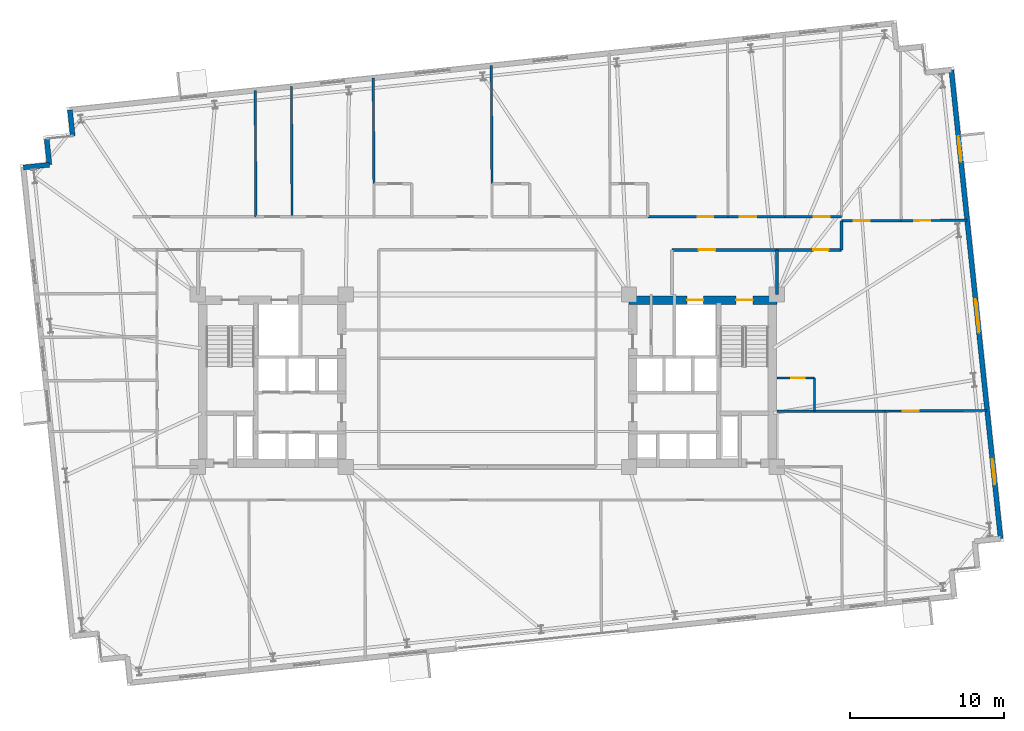
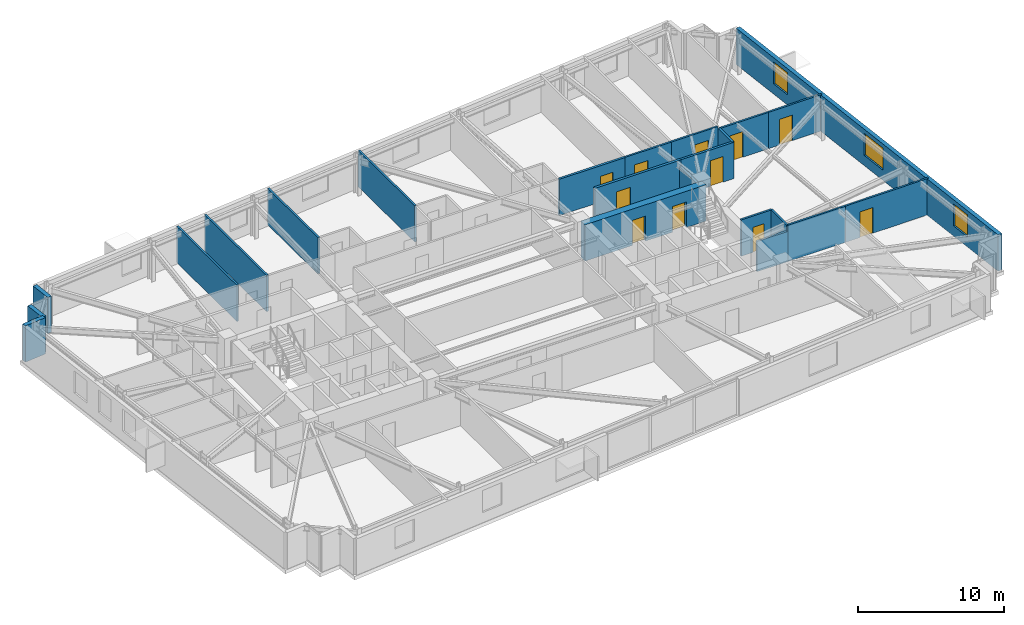
# One storey, part 19 of 23: 23 walls, 11 doors, 3 windows, 14 openings.
"""IFC4 building model written with IfcOpenShell, lengths in metres."""

from ifc_helpers import new_model, si_unit, direction, frame, frame_2d, origin, place, context, subcontext, project, spatial, rectangle, extrude, material, layer, layer_set, type_object, element, fill, save


model = new_model("IFC4")

# Units and contexts
model_context = context("Model", 3, precision=1e-05, world=origin(), true_north=direction((0.0, 1.0)))
body_context = subcontext(model_context, "Body", "Model", "MODEL_VIEW")
ifc_project = project(units=[si_unit("LENGTHUNIT", "METRE"), si_unit("AREAUNIT", "SQUARE_METRE"), si_unit("VOLUMEUNIT", "CUBIC_METRE"), si_unit("PLANEANGLEUNIT", "RADIAN"), si_unit("MASSUNIT", "GRAM", prefix="KILO")], contexts=[model_context])

# Site, building, storey
site_placement = place(None, origin())
site = spatial("IfcSite", under=ifc_project, at=site_placement, CompositionType="ELEMENT")
building_placement = place(site_placement, origin())
building = spatial("IfcBuilding", under=site, at=building_placement, Name="Qobustan Lattice House", CompositionType="ELEMENT")
storey_placement = place(building_placement, frame((0.0, 0.0, 95.75)))
storey = spatial("IfcBuildingStorey", under=building, at=storey_placement, Name="L26", CompositionType="ELEMENT", Elevation=95.75)

# Wall, openings, doors
ifc_material_1 = material(Name="Concrete C60/75", Category="concrete")
ifc_layer_1 = layer(ifc_material_1, 0.56005859375)
ifc_layer_set_1 = layer_set([ifc_layer_1], Name="Concrete C60/75")
wall_type_1 = type_object("IfcWallType", Name="WAL-CORE-600", PredefinedType="SHEAR", material=ifc_layer_set_1)
wall_1_placement = place(storey_placement, frame((9.199951171875, 5.239990234375, 0.0), z_axis=(0.0, 0.0, 1.0), x_axis=(1.0, 0.0, 0.0)))
wall_1 = element("IfcWall", 1, at=wall_1_placement, inside=storey, type_object=wall_type_1, Name="L26 split-core shear wall CE-N", PredefinedType="SHEAR", context=body_context, shape_type="SweptSolid", body=[
    extrude(rectangle(XDim=9.60009765625, YDim=0.56005859375, at=frame_2d((4.800048828125, 0.0))), origin(), (0.0, 0.0, 1.0), 3.044921875),
])
opening_1_placement = place(wall_1_placement, frame((6.949951171875, 0.0, 0.0)))
opening_1 = element("IfcOpeningElement", 2, at=opening_1_placement, cuts=wall_1, Name="Opening SD-01", PredefinedType="OPENING", context=body_context, shape_type="SweptSolid", body=[
    extrude(rectangle(XDim=1.10009765625, YDim=2.14990234375, at=frame_2d((0.550048828125, 1.074951171875))), frame((0.0, 0.2900390625, 0.0), z_axis=(0.0, -1.0, 0.0), x_axis=(1.0, 0.0, 0.0)), (0.0, 0.0, 1.0), 0.580078125),
])
opening_2_placement = place(wall_1_placement, frame((3.77490234375, 0.0, 0.0)))
opening_2 = element("IfcOpeningElement", 3, at=opening_2_placement, cuts=wall_1, Name="Opening LD-01", PredefinedType="OPENING", context=body_context, shape_type="SweptSolid", body=[
    extrude(rectangle(XDim=1.050048828125, YDim=2.10009765625, at=frame_2d((0.52490234375, 1.050048828125))), frame((0.0, 0.2900390625, 0.0), z_axis=(0.0, -1.0, 0.0), x_axis=(1.0, 0.0, 0.0)), (0.0, 0.0, 1.0), 0.580078125),
])
ifc_material_2 = material(Name="Persian walnut timber and steel frame door", Category="steel")
door_type_1 = type_object("IfcDoorType", Name="DOR-LIFT-LD-1050x2100", OperationType="NOTDEFINED", PredefinedType="DOOR", material=ifc_material_2)
door_1_placement = place(opening_2_placement, origin())
door_1 = element("IfcDoor", 4, at=door_1_placement, inside=storey, type_object=door_type_1, Name="L26 firefighting lift FF-E landing door", OperationType="DOUBLE_DOOR_SLIDING", OverallHeight=2.10009765625, OverallWidth=1.050048828125, PredefinedType="DOOR", context=body_context, shape_type="SweptSolid", body=[
    extrude(rectangle(XDim=1.050048828125, YDim=2.10009765625, at=frame_2d((0.52490234375, 1.050048828125))), frame((0.0, 0.02490234375, 0.0), z_axis=(0.0, -1.0, 0.0), x_axis=(1.0, 0.0, 0.0)), (0.0, 0.0, 1.0), 0.050048828125),
])
fill(opening_2, door_1)
ifc_material_3 = material(Name="Persian walnut timber and steel frame door", Category="steel")
door_type_2 = type_object("IfcDoorType", Name="DOR-STAIR-FD-1100x2150", OperationType="NOTDEFINED", PredefinedType="DOOR", material=ifc_material_3)
door_2_placement = place(opening_1_placement, origin())
door_2 = element("IfcDoor", 5, at=door_2_placement, inside=storey, type_object=door_type_2, Name="L26 exit stair ST-E1 fire door", OperationType="SINGLE_SWING_RIGHT", OverallHeight=2.14990234375, OverallWidth=1.10009765625, PredefinedType="DOOR", context=body_context, shape_type="SweptSolid", body=[
    extrude(rectangle(XDim=1.10009765625, YDim=2.14990234375, at=frame_2d((0.550048828125, 1.074951171875))), frame((0.0, 0.02490234375, 0.0), z_axis=(0.0, -1.0, 0.0), x_axis=(1.0, 0.0, 0.0)), (0.0, 0.0, 1.0), 0.050048828125),
])
fill(opening_1, door_2)

# Walls
ifc_material_4 = material(Name="Precast concrete C40/50", Category="concrete")
ifc_layer_2 = layer(ifc_material_4, 0.320068359375)
ifc_layer_set_2 = layer_set([ifc_layer_2], Name="Precast concrete C40/50")
wall_type_2 = type_object("IfcWallType", Name="WAL-EXT-STONE-320", PredefinedType="SOLIDWALL", material=ifc_layer_set_2)
for number, where, z_axis, x_axis, name in (
    (6, (-30.13330078125, 13.84912109375, 0.0), (0.0, 0.0, 1.0), (0.994534530939, 0.104408173862, 0.0), "L26 exterior limestone-clad wall 6"),
    (7, (-28.442626953125, 14.026611328125, 0.0), (0.0, 0.0, 1.0), (-0.104550220202, 0.994519608382, 0.0), "L26 exterior limestone-clad wall 7"),
    (8, (-26.9296875, 15.89501953125, 0.0), (0.0, 0.0, 1.0), (-0.104550220202, 0.994519608382, 0.0), "L26 exterior limestone-clad wall 9"),
):
    element("IfcWall", number, at=place(storey_placement, frame(where, z_axis=z_axis, x_axis=x_axis)), inside=storey, type_object=wall_type_2, Name=name, PredefinedType="SOLIDWALL", context=body_context, shape_type="SweptSolid", body=[
        extrude(rectangle(XDim=1.699951171875, YDim=0.320068359375, at=frame_2d((0.85009765625, 0.0))), origin(), (0.0, 0.0, 1.0), 3.044921875),
    ])

# Wall, openings, windows
wall_2_placement = place(storey_placement, frame((30.134765625, 20.183349609375, 0.0), z_axis=(0.0, 0.0, 1.0), x_axis=(0.104525716865, -0.994522184023, 0.0)))
wall_2 = element("IfcWall", 9, at=wall_2_placement, inside=storey, type_object=wall_type_2, Name="L26 exterior limestone-clad wall 15", PredefinedType="SOLIDWALL", context=body_context, shape_type="SweptSolid", body=[
    extrude(rectangle(XDim=30.60009765625, YDim=0.320068359375, at=frame_2d((15.300048828125, 0.0))), origin(), (0.0, 0.0, 1.0), 3.044921875),
])
opening_3_placement = place(wall_2_placement, frame((4.341796875, 0.0, 0.85009765625)))
opening_3 = element("IfcOpeningElement", 10, at=opening_3_placement, cuts=wall_2, Name="Opening WN-09", PredefinedType="OPENING", context=body_context, shape_type="SweptSolid", body=[
    extrude(rectangle(XDim=1.64990234375, YDim=1.85009765625, at=frame_2d((0.824951171875, 0.925048828125))), frame((0.0, 0.169921875, 0.0), z_axis=(0.0, -1.0, 0.0), x_axis=(1.0, 0.0, 0.0)), (0.0, 0.0, 1.0), 0.340087890625),
])
opening_4_placement = place(wall_2_placement, frame((14.9609375, 0.0, 0.85009765625)))
opening_4 = element("IfcOpeningElement", 11, at=opening_4_placement, cuts=wall_2, Name="Opening WN-03", PredefinedType="OPENING", context=body_context, shape_type="SweptSolid", body=[
    extrude(rectangle(XDim=2.199951171875, YDim=1.85009765625, at=frame_2d((1.10009765625, 0.925048828125))), frame((0.0, 0.169921875, 0.0), z_axis=(0.0, -1.0, 0.0), x_axis=(1.0, 0.0, 0.0)), (0.0, 0.0, 1.0), 0.340087890625),
])
opening_5_placement = place(wall_2_placement, frame((25.4091796875, 0.0, 0.85009765625)))
opening_5 = element("IfcOpeningElement", 12, at=opening_5_placement, cuts=wall_2, Name="Opening WN-09", PredefinedType="OPENING", context=body_context, shape_type="SweptSolid", body=[
    extrude(rectangle(XDim=1.64990234375, YDim=1.85009765625, at=frame_2d((0.824951171875, 0.925048828125))), frame((0.0, 0.169921875, 0.0), z_axis=(0.0, -1.0, 0.0), x_axis=(1.0, 0.0, 0.0)), (0.0, 0.0, 1.0), 0.340087890625),
])
ifc_material_5 = material(Name="Double-glazed low-E aluminium window", Category="aluminium")
window_type_1 = type_object("IfcWindowType", Name="WIN-STU-1650x1850", PartitioningType="SINGLE_PANEL", PredefinedType="WINDOW", material=ifc_material_5)
window_1_placement = place(opening_3_placement, origin())
window_1 = element("IfcWindow", 13, at=window_1_placement, inside=storey, type_object=window_type_1, Name="L26 Focus study room E3B window", OverallHeight=1.85009765625, OverallWidth=1.64990234375, PartitioningType="SINGLE_PANEL", PredefinedType="WINDOW", context=body_context, shape_type="SweptSolid", body=[
    extrude(rectangle(XDim=1.64990234375, YDim=1.85009765625, at=frame_2d((0.824951171875, 0.925048828125))), frame((0.0, 0.030029296875, 0.0), z_axis=(0.0, -1.0, 0.0), x_axis=(1.0, 0.0, 0.0)), (0.0, 0.0, 1.0), 0.06005859375),
])
fill(opening_3, window_1)
window_2_placement = place(opening_5_placement, origin())
window_2 = element("IfcWindow", 14, at=window_2_placement, inside=storey, type_object=window_type_1, Name="L26 Focus study room E1B window", OverallHeight=1.85009765625, OverallWidth=1.64990234375, PartitioningType="SINGLE_PANEL", PredefinedType="WINDOW", context=body_context, shape_type="SweptSolid", body=[
    extrude(rectangle(XDim=1.64990234375, YDim=1.85009765625, at=frame_2d((0.824951171875, 0.925048828125))), frame((0.0, 0.030029296875, 0.0), z_axis=(0.0, -1.0, 0.0), x_axis=(1.0, 0.0, 0.0)), (0.0, 0.0, 1.0), 0.06005859375),
])
fill(opening_5, window_2)
ifc_material_6 = material(Name="Double-glazed low-E aluminium window", Category="aluminium")
window_type_2 = type_object("IfcWindowType", Name="WIN-WIDE-2200x1850", PartitioningType="SINGLE_PANEL", PredefinedType="WINDOW", material=ifc_material_6)
window_3_placement = place(opening_4_placement, origin())
window_3 = element("IfcWindow", 15, at=window_3_placement, inside=storey, type_object=window_type_2, Name="L26 Kitchenette and studio apartment L26-E2 window", OverallHeight=1.85009765625, OverallWidth=2.199951171875, PartitioningType="SINGLE_PANEL", PredefinedType="WINDOW", context=body_context, shape_type="SweptSolid", body=[
    extrude(rectangle(XDim=2.199951171875, YDim=1.85009765625, at=frame_2d((1.10009765625, 0.925048828125))), frame((0.0, 0.030029296875, 0.0), z_axis=(0.0, -1.0, 0.0), x_axis=(1.0, 0.0, 0.0)), (0.0, 0.0, 1.0), 0.06005859375),
])
fill(opening_4, window_3)

# Wall, opening, door
ifc_material_7 = material(Name="Gypsum fireboard acoustic partition", Category="gypsum")
ifc_layer_3 = layer(ifc_material_7, 0.179931640625)
ifc_layer_set_3 = layer_set([ifc_layer_3], Name="Gypsum fireboard acoustic partition")
wall_type_3 = type_object("IfcWallType", Name="WAL-FIRE-180", PredefinedType="PARTITIONING", material=ifc_layer_set_3)
wall_3_placement = place(storey_placement, frame((23.0, 8.5, 0.0), z_axis=(0.0, 0.0, 1.0), x_axis=(-1.0, 0.0, 0.0)))
wall_3 = element("IfcWall", 16, at=wall_3_placement, inside=storey, type_object=wall_type_3, Name="L26 interior partition 44", PredefinedType="PARTITIONING", context=body_context, shape_type="SweptSolid", body=[
    extrude(rectangle(XDim=4.199951171875, YDim=0.179931640625, at=frame_2d((2.10009765625, 0.0))), origin(), (0.0, 0.0, 1.0), 3.044921875),
])
opening_6_placement = place(wall_3_placement, frame((0.8349609375, 0.0, 0.0)))
opening_6 = element("IfcOpeningElement", 17, at=opening_6_placement, cuts=wall_3, Name="Opening FD-02", PredefinedType="OPENING", context=body_context, shape_type="SweptSolid", body=[
    extrude(rectangle(XDim=1.0, YDim=2.14990234375, at=frame_2d((0.5, 1.074951171875))), frame((0.0, 0.099853515625, 0.0), z_axis=(0.0, -1.0, 0.0), x_axis=(1.0, 0.0, 0.0)), (0.0, 0.0, 1.0), 0.199951171875),
])
ifc_material_8 = material(Name="Persian walnut timber and steel frame door", Category="steel")
door_type_3 = type_object("IfcDoorType", Name="DOR-UNIT-FD-1000x2150", OperationType="NOTDEFINED", PredefinedType="DOOR", material=ifc_material_8)
door_3_placement = place(opening_6_placement, origin())
door_3 = element("IfcDoor", 18, at=door_3_placement, inside=storey, type_object=door_type_3, Name="L26 North-east floor corridor to Kitchenette and studio apartment L26-E2 door", OperationType="SINGLE_SWING_RIGHT", OverallHeight=2.14990234375, OverallWidth=1.0, PredefinedType="DOOR", context=body_context, shape_type="SweptSolid", body=[
    extrude(rectangle(XDim=1.0, YDim=2.14990234375, at=frame_2d((0.5, 1.074951171875))), frame((0.0, 0.02490234375, 0.0), z_axis=(0.0, -1.0, 0.0), x_axis=(1.0, 0.0, 0.0)), (0.0, 0.0, 1.0), 0.050048828125),
])
fill(opening_6, door_3)

# Wall
wall_4_placement = place(storey_placement, frame((23.0, 10.387939453125, 0.0), z_axis=(0.0, 0.0, 1.0), x_axis=(0.0, -1.0, 0.0)))
element("IfcWall", 19, at=wall_4_placement, inside=storey, type_object=wall_type_3, Name="L26 interior partition 45", PredefinedType="PARTITIONING", context=body_context, shape_type="SweptSolid", body=[
    extrude(rectangle(XDim=1.887939453125, YDim=0.179931640625, at=frame_2d((0.94384765625, 0.0))), origin(), (0.0, 0.0, 1.0), 3.044921875),
])

# Wall, opening, door
wall_5_placement = place(storey_placement, frame((10.4169921875, 10.64990234375, 0.0), z_axis=(0.0, 0.0, 1.0), x_axis=(1.0, 0.0, 0.0)))
wall_5 = element("IfcWall", 20, at=wall_5_placement, inside=storey, type_object=wall_type_3, Name="L26 interior partition 48", PredefinedType="PARTITIONING", context=body_context, shape_type="SweptSolid", body=[
    extrude(rectangle(XDim=5.216064453125, YDim=0.179931640625, at=frame_2d((2.60791015625, 0.0))), origin(), (0.0, 0.0, 1.0), 3.044921875),
])
opening_7_placement = place(wall_5_placement, frame((3.25390625, 0.0, 0.0)))
opening_7 = element("IfcOpeningElement", 21, at=opening_7_placement, cuts=wall_5, Name="Opening FD-02", PredefinedType="OPENING", context=body_context, shape_type="SweptSolid", body=[
    extrude(rectangle(XDim=1.0, YDim=2.14990234375, at=frame_2d((0.5, 1.074951171875))), frame((0.0, 0.099853515625, 0.0), z_axis=(0.0, -1.0, 0.0), x_axis=(1.0, 0.0, 0.0)), (0.0, 0.0, 1.0), 0.199951171875),
])
door_4_placement = place(opening_7_placement, origin())
door_4 = element("IfcDoor", 22, at=door_4_placement, inside=storey, type_object=door_type_3, Name="L26 North-east floor corridor to Kitchenette and studio apartment L26-N5 door", OperationType="SINGLE_SWING_RIGHT", OverallHeight=2.14990234375, OverallWidth=1.0, PredefinedType="DOOR", context=body_context, shape_type="SweptSolid", body=[
    extrude(rectangle(XDim=1.0, YDim=2.14990234375, at=frame_2d((0.5, 1.074951171875))), frame((0.0, 0.02490234375, 0.0), z_axis=(0.0, -1.0, 0.0), x_axis=(1.0, 0.0, 0.0)), (0.0, 0.0, 1.0), 0.050048828125),
])
fill(opening_7, door_4)

ifc_material_9 = material(Name="Acoustic twin-stud gypsum partition", Category="gypsum")
ifc_layer_4 = layer(ifc_material_9, 0.14990234375)
ifc_layer_set_4 = layer_set([ifc_layer_4], Name="Acoustic twin-stud gypsum partition")
wall_type_4 = type_object("IfcWallType", Name="WAL-PART-150", PredefinedType="PARTITIONING", material=ifc_layer_set_4)
wall_6_placement = place(storey_placement, frame((15.633056640625, 10.64990234375, 0.0), z_axis=(0.0, 0.0, 1.0), x_axis=(1.0, 0.0, 0.0)))
wall_6 = element("IfcWall", 23, at=wall_6_placement, inside=storey, type_object=wall_type_4, Name="L26 interior partition 50", PredefinedType="PARTITIONING", context=body_context, shape_type="SweptSolid", body=[
    extrude(rectangle(XDim=3.683349609375, YDim=0.14990234375, at=frame_2d((1.841796875, 0.0))), origin(), (0.0, 0.0, 1.0), 3.044921875),
])
opening_8_placement = place(wall_6_placement, frame((0.76416015625, 0.0, 0.0)))
opening_8 = element("IfcOpeningElement", 24, at=opening_8_placement, cuts=wall_6, Name="Opening ID-02", PredefinedType="OPENING", context=body_context, shape_type="SweptSolid", body=[
    extrude(rectangle(XDim=1.050048828125, YDim=2.14990234375, at=frame_2d((0.52490234375, 1.074951171875))), frame((0.0, 0.0849609375, 0.0), z_axis=(0.0, -1.0, 0.0), x_axis=(1.0, 0.0, 0.0)), (0.0, 0.0, 1.0), 0.169921875),
])
ifc_material_10 = material(Name="Persian walnut timber and steel frame door", Category="steel")
door_type_4 = type_object("IfcDoorType", Name="DOR-STUDY-1050x2150", OperationType="NOTDEFINED", PredefinedType="DOOR", material=ifc_material_10)
door_5_placement = place(opening_8_placement, origin())
door_5 = element("IfcDoor", 25, at=door_5_placement, inside=storey, type_object=door_type_4, Name="L26 North-east floor corridor to Focus study room N6A door", OperationType="SINGLE_SWING_LEFT", OverallHeight=2.14990234375, OverallWidth=1.050048828125, PredefinedType="DOOR", context=body_context, shape_type="SweptSolid", body=[
    extrude(rectangle(XDim=1.050048828125, YDim=2.14990234375, at=frame_2d((0.52490234375, 1.074951171875))), frame((0.0, 0.02490234375, 0.0), z_axis=(0.0, -1.0, 0.0), x_axis=(1.0, 0.0, 0.0)), (0.0, 0.0, 1.0), 0.050048828125),
])
fill(opening_8, door_5)

wall_7_placement = place(storey_placement, frame((19.31640625, 10.64990234375, 0.0), z_axis=(0.0, 0.0, 1.0), x_axis=(1.0, 0.0, 0.0)))
wall_7 = element("IfcWall", 26, at=wall_7_placement, inside=storey, type_object=wall_type_4, Name="L26 interior partition 51", PredefinedType="PARTITIONING", context=body_context, shape_type="SweptSolid", body=[
    extrude(rectangle(XDim=3.68359375, YDim=0.14990234375, at=frame_2d((1.841796875, 0.0))), origin(), (0.0, 0.0, 1.0), 3.044921875),
])
opening_9_placement = place(wall_7_placement, frame((1.869384765625, 0.0, 0.0)))
opening_9 = element("IfcOpeningElement", 27, at=opening_9_placement, cuts=wall_7, Name="Opening ID-02", PredefinedType="OPENING", context=body_context, shape_type="SweptSolid", body=[
    extrude(rectangle(XDim=1.050048828125, YDim=2.14990234375, at=frame_2d((0.52490234375, 1.074951171875))), frame((0.0, 0.0849609375, 0.0), z_axis=(0.0, -1.0, 0.0), x_axis=(1.0, 0.0, 0.0)), (0.0, 0.0, 1.0), 0.169921875),
])
door_6_placement = place(opening_9_placement, origin())
door_6 = element("IfcDoor", 28, at=door_6_placement, inside=storey, type_object=door_type_4, Name="L26 North-east floor corridor to Focus study room N6B door", OperationType="SINGLE_SWING_RIGHT", OverallHeight=2.14990234375, OverallWidth=1.050048828125, PredefinedType="DOOR", context=body_context, shape_type="SweptSolid", body=[
    extrude(rectangle(XDim=1.050048828125, YDim=2.14990234375, at=frame_2d((0.52490234375, 1.074951171875))), frame((0.0, 0.02490234375, 0.0), z_axis=(0.0, -1.0, 0.0), x_axis=(1.0, 0.0, 0.0)), (0.0, 0.0, 1.0), 0.050048828125),
])
fill(opening_9, door_6)

# Wall
wall_8_placement = place(storey_placement, frame((21.25, -1.971923828125, 0.0), z_axis=(0.0, 0.0, 1.0), x_axis=(1.0, 0.0, 0.0)))
element("IfcWall", 29, at=wall_8_placement, inside=storey, type_object=wall_type_4, Name="L26 interior partition 78", PredefinedType="PARTITIONING", context=body_context, shape_type="SweptSolid", body=[
    extrude(rectangle(XDim=4.585693359375, YDim=0.14990234375, at=frame_2d((2.29296875, 0.0))), origin(), (0.0, 0.0, 1.0), 3.044921875),
])

# Wall, opening, door
wall_9_placement = place(storey_placement, frame((25.835693359375, -1.971923828125, 0.0), z_axis=(0.0, 0.0, 1.0), x_axis=(0.999977987715, 0.006635064796, 0.0)))
wall_9 = element("IfcWall", 30, at=wall_9_placement, inside=storey, type_object=wall_type_4, Name="L26 interior partition 81", PredefinedType="PARTITIONING", context=body_context, shape_type="SweptSolid", body=[
    extrude(rectangle(XDim=6.623291015625, YDim=0.14990234375, at=frame_2d((3.3115234375, 0.0))), origin(), (0.0, 0.0, 1.0), 3.044921875),
])
opening_10_placement = place(wall_9_placement, frame((1.131591796875, 0.0, 0.0)))
opening_10 = element("IfcOpeningElement", 31, at=opening_10_placement, cuts=wall_9, Name="Opening ID-02", PredefinedType="OPENING", context=body_context, shape_type="SweptSolid", body=[
    extrude(rectangle(XDim=1.050048828125, YDim=2.14990234375, at=frame_2d((0.52490234375, 1.074951171875))), frame((0.0, 0.0849609375, 0.0), z_axis=(0.0, -1.0, 0.0), x_axis=(1.0, 0.0, 0.0)), (0.0, 0.0, 1.0), 0.169921875),
])
door_7_placement = place(opening_10_placement, origin())
door_7 = element("IfcDoor", 32, at=door_7_placement, inside=storey, type_object=door_type_4, Name="L26 Focus study room E1B to Kitchenette and studio apartment L26-E2 door", OperationType="SINGLE_SWING_RIGHT", OverallHeight=2.14990234375, OverallWidth=1.050048828125, PredefinedType="DOOR", context=body_context, shape_type="SweptSolid", body=[
    extrude(rectangle(XDim=1.050048828125, YDim=2.14990234375, at=frame_2d((0.52490234375, 1.074951171875))), frame((0.0, 0.02490234375, 0.0), z_axis=(0.0, -1.0, 0.0), x_axis=(1.0, 0.0, 0.0)), (0.0, 0.0, 1.0), 0.050048828125),
])
fill(opening_10, door_7)

wall_10_placement = place(storey_placement, frame((23.0, 10.387939453125, 0.0), z_axis=(0.0, 0.0, 1.0), x_axis=(1.0, 0.0, 0.0)))
wall_10 = element("IfcWall", 33, at=wall_10_placement, inside=storey, type_object=wall_type_4, Name="L26 interior partition 84", PredefinedType="PARTITIONING", context=body_context, shape_type="SweptSolid", body=[
    extrude(rectangle(XDim=3.87109375, YDim=0.14990234375, at=frame_2d((1.935546875, 0.0))), origin(), (0.0, 0.0, 1.0), 3.044921875),
])
opening_11_placement = place(wall_10_placement, frame((0.78759765625, 0.0, 0.0)))
opening_11 = element("IfcOpeningElement", 34, at=opening_11_placement, cuts=wall_10, Name="Opening ID-02", PredefinedType="OPENING", context=body_context, shape_type="SweptSolid", body=[
    extrude(rectangle(XDim=1.050048828125, YDim=2.14990234375, at=frame_2d((0.52490234375, 1.074951171875))), frame((0.0, 0.0849609375, 0.0), z_axis=(0.0, -1.0, 0.0), x_axis=(1.0, 0.0, 0.0)), (0.0, 0.0, 1.0), 0.169921875),
])
door_8_placement = place(opening_11_placement, origin())
door_8 = element("IfcDoor", 35, at=door_8_placement, inside=storey, type_object=door_type_4, Name="L26 Kitchenette and studio apartment L26-E2 to Focus study room E3A door", OperationType="SINGLE_SWING_RIGHT", OverallHeight=2.14990234375, OverallWidth=1.050048828125, PredefinedType="DOOR", context=body_context, shape_type="SweptSolid", body=[
    extrude(rectangle(XDim=1.050048828125, YDim=2.14990234375, at=frame_2d((0.52490234375, 1.074951171875))), frame((0.0, 0.02490234375, 0.0), z_axis=(0.0, -1.0, 0.0), x_axis=(1.0, 0.0, 0.0)), (0.0, 0.0, 1.0), 0.050048828125),
])
fill(opening_11, door_8)

wall_11_placement = place(storey_placement, frame((26.87109375, 10.387939453125, 0.0), z_axis=(0.0, 0.0, 1.0), x_axis=(0.999947502931, 0.010246530259, 0.0)))
wall_11 = element("IfcWall", 36, at=wall_11_placement, inside=storey, type_object=wall_type_4, Name="L26 interior partition 85", PredefinedType="PARTITIONING", context=body_context, shape_type="SweptSolid", body=[
    extrude(rectangle(XDim=4.288818359375, YDim=0.14990234375, at=frame_2d((2.14453125, 0.0))), origin(), (0.0, 0.0, 1.0), 3.044921875),
])
opening_12_placement = place(wall_11_placement, frame((0.83984375, 0.0, 0.0)))
opening_12 = element("IfcOpeningElement", 37, at=opening_12_placement, cuts=wall_11, Name="Opening ID-02", PredefinedType="OPENING", context=body_context, shape_type="SweptSolid", body=[
    extrude(rectangle(XDim=1.050048828125, YDim=2.14990234375, at=frame_2d((0.52490234375, 1.074951171875))), frame((0.0, 0.0849609375, 0.0), z_axis=(0.0, -1.0, 0.0), x_axis=(1.0, 0.0, 0.0)), (0.0, 0.0, 1.0), 0.169921875),
])
door_9_placement = place(opening_12_placement, origin())
door_9 = element("IfcDoor", 38, at=door_9_placement, inside=storey, type_object=door_type_4, Name="L26 Kitchenette and studio apartment L26-E2 to Focus study room E3B door", OperationType="SINGLE_SWING_LEFT", OverallHeight=2.14990234375, OverallWidth=1.050048828125, PredefinedType="DOOR", context=body_context, shape_type="SweptSolid", body=[
    extrude(rectangle(XDim=1.050048828125, YDim=2.14990234375, at=frame_2d((0.52490234375, 1.074951171875))), frame((0.0, 0.02490234375, 0.0), z_axis=(0.0, -1.0, 0.0), x_axis=(1.0, 0.0, 0.0)), (0.0, 0.0, 1.0), 0.050048828125),
])
fill(opening_12, door_9)

# Walls
wall_12_placement = place(storey_placement, frame((-7.410888671875, 19.656005859375, 0.0), z_axis=(0.0, 0.0, 1.0), x_axis=(0.006409668201, -0.999979457866, 0.0)))
element("IfcWall", 39, at=wall_12_placement, inside=storey, type_object=wall_type_4, Name="L26 interior partition 90", PredefinedType="PARTITIONING", context=body_context, shape_type="SweptSolid", body=[
    extrude(rectangle(XDim=6.856201171875, YDim=0.14990234375, at=frame_2d((3.42822265625, 0.0))), origin(), (0.0, 0.0, 1.0), 3.044921875),
])
wall_13_placement = place(storey_placement, frame((0.256103515625, 20.461669921875, 0.0), z_axis=(0.0, 0.0, 1.0), x_axis=(0.00573567775, -0.999983550865, 0.0)))
element("IfcWall", 40, at=wall_13_placement, inside=storey, type_object=wall_type_4, Name="L26 interior partition 94", PredefinedType="PARTITIONING", context=body_context, shape_type="SweptSolid", body=[
    extrude(rectangle(XDim=7.661865234375, YDim=0.14990234375, at=frame_2d((3.8310546875, 0.0))), origin(), (0.0, 0.0, 1.0), 3.044921875),
])

# Wall, opening, door
ifc_material_11 = material(Name="Two-hour gypsum fireboard acoustic partition", Category="gypsum")
ifc_layer_5 = layer(ifc_material_11, 0.199951171875)
ifc_layer_set_5 = layer_set([ifc_layer_5], Name="Two-hour gypsum fireboard acoustic partition")
wall_type_5 = type_object("IfcWallType", Name="WAL-PROT-200", PredefinedType="PARTITIONING", material=ifc_layer_set_5)
wall_14_placement = place(storey_placement, frame((18.800048828125, 8.5, 0.0), z_axis=(0.0, 0.0, 1.0), x_axis=(-1.0, 0.0, 0.0)))
wall_14 = element("IfcWall", 41, at=wall_14_placement, inside=storey, type_object=wall_type_5, Name="L26 interior partition 20", PredefinedType="PARTITIONING", context=body_context, shape_type="SweptSolid", body=[
    extrude(rectangle(XDim=6.800048828125, YDim=0.199951171875, at=frame_2d((3.39990234375, 0.0))), origin(), (0.0, 0.0, 1.0), 3.044921875),
])
opening_13_placement = place(wall_14_placement, frame((3.985107421875, 0.0, 0.0)))
opening_13 = element("IfcOpeningElement", 42, at=opening_13_placement, cuts=wall_14, Name="Opening SD-01", PredefinedType="OPENING", context=body_context, shape_type="SweptSolid", body=[
    extrude(rectangle(XDim=1.10009765625, YDim=2.14990234375, at=frame_2d((0.550048828125, 1.074951171875))), frame((0.0, 0.10986328125, 0.0), z_axis=(0.0, -1.0, 0.0), x_axis=(1.0, 0.0, 0.0)), (0.0, 0.0, 1.0), 0.219970703125),
])
door_10_placement = place(opening_13_placement, origin())
door_10 = element("IfcDoor", 43, at=door_10_placement, inside=storey, type_object=door_type_2, Name="L26 East firefighting lift lobby to North-east floor corridor door", OperationType="SINGLE_SWING_RIGHT", OverallHeight=2.14990234375, OverallWidth=1.10009765625, PredefinedType="DOOR", context=body_context, shape_type="SweptSolid", body=[
    extrude(rectangle(XDim=1.10009765625, YDim=2.14990234375, at=frame_2d((0.550048828125, 1.074951171875))), frame((0.0, 0.02490234375, 0.0), z_axis=(0.0, -1.0, 0.0), x_axis=(1.0, 0.0, 0.0)), (0.0, 0.0, 1.0), 0.050048828125),
])
fill(opening_13, door_10)

# Walls
wall_15_placement = place(storey_placement, frame((18.800048828125, 5.60009765625, 0.0), z_axis=(0.0, 0.0, 1.0), x_axis=(0.0, 1.0, 0.0)))
element("IfcWall", 44, at=wall_15_placement, inside=storey, type_object=wall_type_5, Name="L26 interior partition 22", PredefinedType="PARTITIONING", context=body_context, shape_type="SweptSolid", body=[
    extrude(rectangle(XDim=2.89990234375, YDim=0.199951171875, at=frame_2d((1.449951171875, 0.0))), origin(), (0.0, 0.0, 1.0), 2.530029296875),
])
ifc_material_12 = material(Name="Moisture-resistant acoustic plumbing wall", Category="gypsum")
ifc_layer_6 = layer(ifc_material_12, 0.14990234375)
ifc_layer_set_6 = layer_set([ifc_layer_6], Name="Moisture-resistant acoustic plumbing wall")
wall_type_6 = type_object("IfcWallType", Name="WAL-WET-150", PredefinedType="PLUMBINGWALL", material=ifc_layer_set_6)
wall_16_placement = place(storey_placement, frame((18.800048828125, -1.971923828125, 0.0), z_axis=(0.0, 0.0, 1.0), x_axis=(1.0, 0.0, 0.0)))
element("IfcWall", 45, at=wall_16_placement, inside=storey, type_object=wall_type_6, Name="L26 interior partition 79", PredefinedType="PLUMBINGWALL", context=body_context, shape_type="SweptSolid", body=[
    extrude(rectangle(XDim=2.449951171875, YDim=0.14990234375, at=frame_2d((1.22509765625, 0.0))), origin(), (0.0, 0.0, 1.0), 2.530029296875),
])

# Wall, opening, door
wall_17_placement = place(storey_placement, frame((21.25, 0.177978515625, 0.0), z_axis=(0.0, 0.0, 1.0), x_axis=(-1.0, 0.0, 0.0)))
wall_17 = element("IfcWall", 46, at=wall_17_placement, inside=storey, type_object=wall_type_6, Name="L26 interior partition 82", PredefinedType="PLUMBINGWALL", context=body_context, shape_type="SweptSolid", body=[
    extrude(rectangle(XDim=2.449951171875, YDim=0.14990234375, at=frame_2d((1.22509765625, 0.0))), origin(), (0.0, 0.0, 1.0), 3.044921875),
])
opening_14_placement = place(wall_17_placement, frame((0.628662109375, 0.0, 0.0)))
opening_14 = element("IfcOpeningElement", 47, at=opening_14_placement, cuts=wall_17, Name="Opening WD-01", PredefinedType="OPENING", context=body_context, shape_type="SweptSolid", body=[
    extrude(rectangle(XDim=0.89990234375, YDim=2.10009765625, at=frame_2d((0.449951171875, 1.050048828125))), frame((0.0, 0.0849609375, 0.0), z_axis=(0.0, -1.0, 0.0), x_axis=(1.0, 0.0, 0.0)), (0.0, 0.0, 1.0), 0.169921875),
])
ifc_material_13 = material(Name="Persian walnut timber and steel frame door", Category="steel")
door_type_5 = type_object("IfcDoorType", Name="DOR-WET-900x2100", OperationType="NOTDEFINED", PredefinedType="DOOR", material=ifc_material_13)
door_11_placement = place(opening_14_placement, origin())
door_11 = element("IfcDoor", 48, at=door_11_placement, inside=storey, type_object=door_type_5, Name="L26 Kitchenette and studio apartment L26-E2 to En-suite bathroom L26-E2 door", OperationType="SINGLE_SWING_LEFT", OverallHeight=2.10009765625, OverallWidth=0.89990234375, PredefinedType="DOOR", context=body_context, shape_type="SweptSolid", body=[
    extrude(rectangle(XDim=0.89990234375, YDim=2.10009765625, at=frame_2d((0.449951171875, 1.050048828125))), frame((0.0, 0.02490234375, 0.0), z_axis=(0.0, -1.0, 0.0), x_axis=(1.0, 0.0, 0.0)), (0.0, 0.0, 1.0), 0.050048828125),
])
fill(opening_14, door_11)

# Walls
wall_18_placement = place(storey_placement, frame((21.25, -1.971923828125, 0.0), z_axis=(0.0, 0.0, 1.0), x_axis=(0.0, 1.0, 0.0)))
element("IfcWall", 49, at=wall_18_placement, inside=storey, type_object=wall_type_6, Name="L26 interior partition 83", PredefinedType="PLUMBINGWALL", context=body_context, shape_type="SweptSolid", body=[
    extrude(rectangle(XDim=2.14990234375, YDim=0.14990234375, at=frame_2d((1.074951171875, 0.0))), origin(), (0.0, 0.0, 1.0), 3.044921875),
])
wall_19_placement = place(storey_placement, frame((-15.076904296875, 18.85009765625, 0.0), z_axis=(0.0, 0.0, 1.0), x_axis=(0.005358979853, -0.999985640564, 0.0)))
element("IfcWall", 50, at=wall_19_placement, inside=storey, type_object=wall_type_6, Name="L26 interior partition 88", PredefinedType="PLUMBINGWALL", context=body_context, shape_type="SweptSolid", body=[
    extrude(rectangle(XDim=8.2001953125, YDim=0.14990234375, at=frame_2d((4.10009765625, 0.0))), origin(), (0.0, 0.0, 1.0), 3.044921875),
])
wall_20_placement = place(storey_placement, frame((-12.726806640625, 19.09716796875, 0.0), z_axis=(0.0, 0.0, 1.0), x_axis=(0.005173341175, -0.999986618181, 0.0)))
element("IfcWall", 51, at=wall_20_placement, inside=storey, type_object=wall_type_6, Name="L26 interior partition 89", PredefinedType="PLUMBINGWALL", context=body_context, shape_type="SweptSolid", body=[
    extrude(rectangle(XDim=8.447265625, YDim=0.14990234375, at=frame_2d((4.2236328125, 0.0))), origin(), (0.0, 0.0, 1.0), 3.044921875),
])

save(model, "model.ifc")
